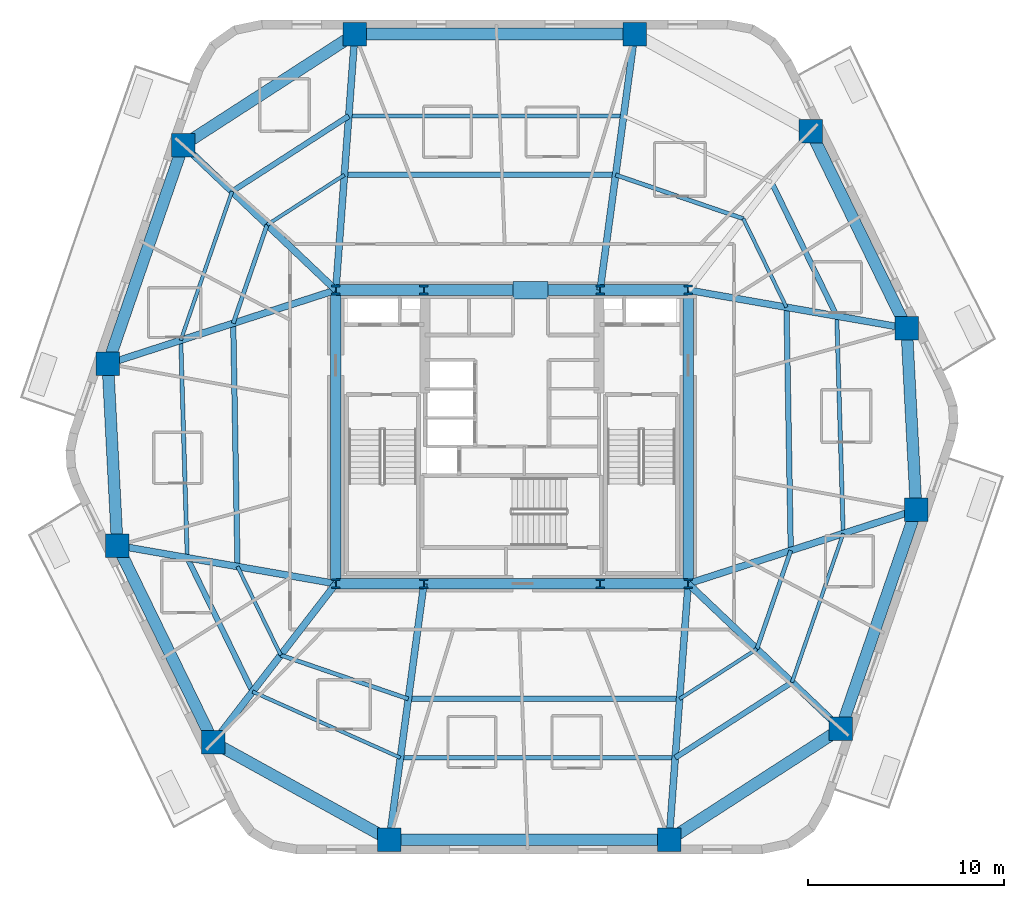
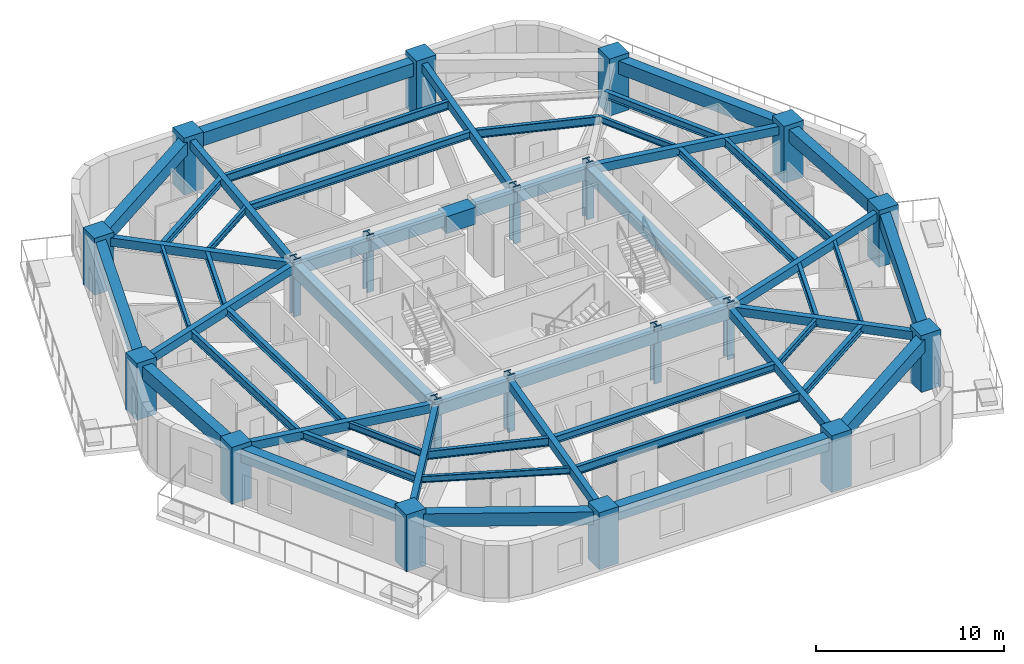
# One storey, part 1 of 10: 54 beams, 20 columns.
"""IFC4 building model written with IfcOpenShell, lengths in metres."""

from ifc_helpers import new_model, si_unit, direction, frame, origin, origin_2d, place, context, subcontext, project, spatial, rectangle, i_section, extrude, material, material_profile, profile_set, type_object, element, save


model = new_model("IFC4")

# Units and contexts
model_context = context("Model", 3, precision=1e-05, world=origin(), true_north=direction((0.0, 1.0)))
body_context = subcontext(model_context, "Body", "Model", "MODEL_VIEW")
ifc_project = project(units=[si_unit("LENGTHUNIT", "METRE"), si_unit("AREAUNIT", "SQUARE_METRE"), si_unit("VOLUMEUNIT", "CUBIC_METRE"), si_unit("PLANEANGLEUNIT", "RADIAN"), si_unit("MASSUNIT", "GRAM", prefix="KILO")], contexts=[model_context])

# Site, building, storey
site_placement = place(None, origin())
site = spatial("IfcSite", under=ifc_project, at=site_placement, CompositionType="ELEMENT")
building_placement = place(site_placement, origin())
building = spatial("IfcBuilding", under=site, at=building_placement, Name="Kilnhurst Terrace Hotel", CompositionType="ELEMENT")
storey_placement = place(building_placement, frame((0.0, 0.0, 117.300048828125)))
storey = spatial("IfcBuildingStorey", under=building, at=storey_placement, Name="L28", CompositionType="ELEMENT", Elevation=117.300048828125)

# Columns
ifc_material_1 = material(Name="Concrete C80/95", Category="concrete")
ifc_material_profile_1 = material_profile(ifc_material_1, rectangle(XDim=1.199951171875, YDim=1.199951171875, at=origin_2d()), Name="RC1200X1200")
ifc_profile_set_1 = profile_set([ifc_material_profile_1], Name="Concrete C80/95")
column_type_1 = type_object("IfcColumnType", Name="COL-RC-1200", PredefinedType="COLUMN", material=ifc_profile_set_1)
for number, where, z_axis, x_axis, name in (
    (1, (-6.26806640625, -20.580078125, 0.0), (0.0, 0.0, 1.0), (1.0, 0.0, 0.0), "L28 Structural Column PC-F11"),
    (2, (8.028076171875, -20.580078125, 0.0), (0.0, 0.0, 1.0), (1.0, 0.0, 0.0), "L28 Structural Column PC-F12"),
    (3, (16.800048828125, -14.910888671875, 0.0), (0.0, 0.0, 1.0), (1.0, 0.0, 0.0), "L28 Structural Column PC-F21"),
    (4, (20.64990234375, -3.73095703125, 0.0), (0.0, 0.0, 1.0), (1.0, 0.0, 0.0), "L28 Structural Column PC-F22"),
    (5, (20.1640625, 5.549072265625, 0.0), (0.0, 0.0, 1.0), (1.0, 0.0, 0.0), "L28 Structural Column PC-F31"),
    (6, (15.257080078125, 15.60888671875, 0.0), (0.0, 0.0, 1.0), (1.0, 0.0, 0.0), "L28 Structural Column PC-F32"),
    (7, (6.26806640625, 20.580078125, 0.0), (0.0, 0.0, 1.0), (1.0, 0.0, 0.0), "L28 Structural Column PC-F41"),
    (8, (-8.028076171875, 20.580078125, 0.0), (0.0, 0.0, 1.0), (1.0, 0.0, 0.0), "L28 Structural Column PC-F42"),
    (9, (-16.800048828125, 14.910888671875, 0.0), (0.0, 0.0, 1.0), (1.0, 0.0, 0.0), "L28 Structural Column PC-F51"),
    (10, (-20.64990234375, 3.73095703125, 0.0), (0.0, 0.0, 1.0), (1.0, 0.0, 0.0), "L28 Structural Column PC-F52"),
    (11, (-20.1640625, -5.549072265625, 0.0), (0.0, 0.0, 1.0), (1.0, 0.0, 0.0), "L28 Structural Column PC-F61"),
    (12, (-15.257080078125, -15.60888671875, 0.0), (0.0, 0.0, 1.0), (1.0, 0.0, 0.0), "L28 Structural Column PC-F62"),
):
    element("IfcColumn", number, at=place(storey_placement, frame(where, z_axis=z_axis, x_axis=x_axis)), inside=storey, type_object=column_type_1, Name=name, PredefinedType="COLUMN", context=body_context, shape_type="SweptSolid", body=[
        extrude(rectangle(XDim=1.199951171875, YDim=1.199951171875, at=origin_2d()), origin(), (0.0, 0.0, 1.0), 3.699951171875),
    ])
ifc_material_2 = material(Name="Steel ASTM A992 Grade 50", Category="steel")
ifc_material_profile_2 = material_profile(ifc_material_2, i_section(OverallWidth=0.43212890625, OverallDepth=0.497802734375, WebThickness=0.0556640625, FlangeThickness=0.0888671875, at=origin_2d()), Name="W14X500")
ifc_profile_set_2 = profile_set([ifc_material_profile_2], Name="Steel ASTM A992 Grade 50")
column_type_2 = type_object("IfcColumnType", Name="COL-STL-W14X500", PredefinedType="COLUMN", material=ifc_profile_set_2)
for number, where, z_axis, x_axis, name in (
    (13, (-9.0, -7.5, 0.0), (0.0, 0.0, 1.0), (1.0, 0.0, 0.0), "L28 Structural Column CC-SW"),
    (14, (-4.5, -7.5, 0.0), (0.0, 0.0, 1.0), (1.0, 0.0, 0.0), "L28 Structural Column CC-SC1"),
    (15, (4.5, -7.5, 0.0), (0.0, 0.0, 1.0), (1.0, 0.0, 0.0), "L28 Structural Column CC-SC2"),
    (16, (9.0, -7.5, 0.0), (0.0, 0.0, 1.0), (1.0, 0.0, 0.0), "L28 Structural Column CC-SE"),
    (17, (9.0, 7.5, 0.0), (0.0, 0.0, 1.0), (1.0, 0.0, 0.0), "L28 Structural Column CC-NE"),
    (18, (4.5, 7.5, 0.0), (0.0, 0.0, 1.0), (1.0, 0.0, 0.0), "L28 Structural Column CC-NC2"),
    (19, (-4.5, 7.5, 0.0), (0.0, 0.0, 1.0), (1.0, 0.0, 0.0), "L28 Structural Column CC-NC1"),
    (20, (-9.0, 7.5, 0.0), (0.0, 0.0, 1.0), (1.0, 0.0, 0.0), "L28 Structural Column CC-NW"),
):
    element("IfcColumn", number, at=place(storey_placement, frame(where, z_axis=z_axis, x_axis=x_axis)), inside=storey, type_object=column_type_2, Name=name, PredefinedType="COLUMN", context=body_context, shape_type="SweptSolid", body=[
        extrude(i_section(OverallWidth=0.43212890625, OverallDepth=0.497802734375, WebThickness=0.0556640625, FlangeThickness=0.0888671875, at=origin_2d()), origin(), (0.0, 0.0, 1.0), 3.699951171875),
    ])

# Beams
ifc_material_3 = material(Name="Concrete C50/60", Category="concrete")
ifc_material_profile_3 = material_profile(ifc_material_3, rectangle(XDim=0.35009765625, YDim=0.550048828125, at=origin_2d()), Name="RC350X550")
ifc_profile_set_3 = profile_set([ifc_material_profile_3], Name="Concrete C50/60")
beam_type_1 = type_object("IfcBeamType", Name="BM-RAD-350X550", PredefinedType="BEAM", material=ifc_profile_set_3)
beam_1_placement = place(storey_placement, frame((-4.5, -7.5, 3.125), z_axis=(-0.133954226177, -0.990987520249, 0.0), x_axis=(0.990987520249, -0.133954226177, 0.0)))
element("IfcBeam", 21, at=beam_1_placement, inside=storey, type_object=beam_type_1, Name="L28 Radial Floor Beam 1", PredefinedType="BEAM", context=body_context, shape_type="SweptSolid", body=[
    extrude(rectangle(XDim=0.35009765625, YDim=0.550048828125, at=origin_2d()), origin(), (0.0, 0.0, 1.0), 13.198974609375),
])
beam_2_placement = place(storey_placement, frame((9.0, -7.5, 3.125), z_axis=(-0.074101371747, -0.997250714066, 0.0), x_axis=(0.997250714066, -0.074101371747, 0.0)))
element("IfcBeam", 22, at=beam_2_placement, inside=storey, type_object=beam_type_1, Name="L28 Radial Floor Beam 2", PredefinedType="BEAM", context=body_context, shape_type="SweptSolid", body=[
    extrude(rectangle(XDim=0.35009765625, YDim=0.550048828125, at=origin_2d()), origin(), (0.0, 0.0, 1.0), 13.1162109375),
])
beam_3_placement = place(storey_placement, frame((9.0, -7.5, 3.125), z_axis=(0.724960341586, -0.688790609059, 0.0), x_axis=(0.688790609059, 0.724960341586, 0.0)))
element("IfcBeam", 23, at=beam_3_placement, inside=storey, type_object=beam_type_1, Name="L28 Radial Floor Beam 3", PredefinedType="BEAM", context=body_context, shape_type="SweptSolid", body=[
    extrude(rectangle(XDim=0.35009765625, YDim=0.550048828125, at=origin_2d()), origin(), (0.0, 0.0, 1.0), 10.75927734375),
])
beam_4_placement = place(storey_placement, frame((9.0, -7.5, 3.125), z_axis=(0.951445549065, 0.307817100182, 0.0), x_axis=(-0.307817100182, 0.951445549065, 0.0)))
element("IfcBeam", 24, at=beam_4_placement, inside=storey, type_object=beam_type_1, Name="L28 Radial Floor Beam 4", PredefinedType="BEAM", context=body_context, shape_type="SweptSolid", body=[
    extrude(rectangle(XDim=0.35009765625, YDim=0.550048828125, at=origin_2d()), origin(), (0.0, 0.0, 1.0), 12.244384765625),
])
beam_5_placement = place(storey_placement, frame((9.0, 7.5, 3.125), z_axis=(0.985072137567, -0.172142045384, 0.0), x_axis=(0.172142045384, 0.985072137567, 0.0)))
element("IfcBeam", 25, at=beam_5_placement, inside=storey, type_object=beam_type_1, Name="L28 Radial Floor Beam 5", PredefinedType="BEAM", context=body_context, shape_type="SweptSolid", body=[
    extrude(rectangle(XDim=0.35009765625, YDim=0.550048828125, at=origin_2d()), origin(), (0.0, 0.0, 1.0), 11.333251953125),
])
beam_6_placement = place(storey_placement, frame((4.5, 7.5, 3.125), z_axis=(0.133954226177, 0.990987520249, 0.0), x_axis=(-0.990987520249, 0.133954226177, 0.0)))
element("IfcBeam", 26, at=beam_6_placement, inside=storey, type_object=beam_type_1, Name="L28 Radial Floor Beam 7", PredefinedType="BEAM", context=body_context, shape_type="SweptSolid", body=[
    extrude(rectangle(XDim=0.35009765625, YDim=0.550048828125, at=origin_2d()), origin(), (0.0, 0.0, 1.0), 13.198974609375),
])
beam_7_placement = place(storey_placement, frame((-9.0, 7.5, 3.125), z_axis=(0.074101371747, 0.997250714066, 0.0), x_axis=(-0.997250714066, 0.074101371747, 0.0)))
element("IfcBeam", 27, at=beam_7_placement, inside=storey, type_object=beam_type_1, Name="L28 Radial Floor Beam 8", PredefinedType="BEAM", context=body_context, shape_type="SweptSolid", body=[
    extrude(rectangle(XDim=0.35009765625, YDim=0.550048828125, at=origin_2d()), origin(), (0.0, 0.0, 1.0), 13.1162109375),
])
beam_8_placement = place(storey_placement, frame((-9.0, 7.5, 3.125), z_axis=(-0.724960341586, 0.688790609059, 0.0), x_axis=(-0.688790609059, -0.724960341586, 0.0)))
element("IfcBeam", 28, at=beam_8_placement, inside=storey, type_object=beam_type_1, Name="L28 Radial Floor Beam 9", PredefinedType="BEAM", context=body_context, shape_type="SweptSolid", body=[
    extrude(rectangle(XDim=0.35009765625, YDim=0.550048828125, at=origin_2d()), origin(), (0.0, 0.0, 1.0), 10.75927734375),
])
beam_9_placement = place(storey_placement, frame((-9.0, 7.5, 3.125), z_axis=(-0.951445549065, -0.307817100182, 0.0), x_axis=(0.307817100182, -0.951445549065, 0.0)))
element("IfcBeam", 29, at=beam_9_placement, inside=storey, type_object=beam_type_1, Name="L28 Radial Floor Beam 10", PredefinedType="BEAM", context=body_context, shape_type="SweptSolid", body=[
    extrude(rectangle(XDim=0.35009765625, YDim=0.550048828125, at=origin_2d()), origin(), (0.0, 0.0, 1.0), 12.244384765625),
])
beam_10_placement = place(storey_placement, frame((-9.0, -7.5, 3.125), z_axis=(-0.985072137567, 0.172142045384, 0.0), x_axis=(-0.172142045384, -0.985072137567, 0.0)))
element("IfcBeam", 30, at=beam_10_placement, inside=storey, type_object=beam_type_1, Name="L28 Radial Floor Beam 11", PredefinedType="BEAM", context=body_context, shape_type="SweptSolid", body=[
    extrude(rectangle(XDim=0.35009765625, YDim=0.550048828125, at=origin_2d()), origin(), (0.0, 0.0, 1.0), 11.333251953125),
])
beam_11_placement = place(storey_placement, frame((-9.0, -7.5, 3.125), z_axis=(-0.610904638371, -0.79170418896, 0.0), x_axis=(0.79170418896, -0.610904638371, 0.0)))
element("IfcBeam", 31, at=beam_11_placement, inside=storey, type_object=beam_type_1, Name="L28 Radial Floor Beam 12", PredefinedType="BEAM", context=body_context, shape_type="SweptSolid", body=[
    extrude(rectangle(XDim=0.35009765625, YDim=0.550048828125, at=origin_2d()), origin(), (0.0, 0.0, 1.0), 10.242431640625),
])
ifc_material_profile_4 = material_profile(ifc_material_3, rectangle(XDim=0.550048828125, YDim=0.75, at=origin_2d()), Name="RC550X750")
ifc_profile_set_4 = profile_set([ifc_material_profile_4], Name="Concrete C50/60")
beam_type_2 = type_object("IfcBeamType", Name="BM-SPN-550X750", PredefinedType="SPANDREL", material=ifc_profile_set_4)
beam_12_placement = place(storey_placement, frame((-9.0, 7.5, 3.02490234375), z_axis=(1.0, 0.0, 0.0), x_axis=(0.0, 1.0, 0.0)))
element("IfcBeam", 32, at=beam_12_placement, inside=storey, type_object=beam_type_2, Name="L28 Core Tie Beam CC-NW to CC-NC1", PredefinedType="SPANDREL", context=body_context, shape_type="SweptSolid", body=[
    extrude(rectangle(XDim=0.550048828125, YDim=0.75, at=origin_2d()), origin(), (0.0, 0.0, 1.0), 4.5),
])
beam_13_placement = place(storey_placement, frame((-4.5, 7.5, 3.02490234375), z_axis=(1.0, 0.0, 0.0), x_axis=(0.0, 1.0, 0.0)))
element("IfcBeam", 33, at=beam_13_placement, inside=storey, type_object=beam_type_2, Name="L28 Core Tie Beam CC-NC1 to CC-NC2", PredefinedType="SPANDREL", context=body_context, shape_type="SweptSolid", body=[
    extrude(rectangle(XDim=0.550048828125, YDim=0.75, at=origin_2d()), origin(), (0.0, 0.0, 1.0), 9.0),
])
for number, where, z_axis, x_axis, name in (
    (34, (4.5, 7.5, 3.02490234375), (1.0, 0.0, 0.0), (0.0, 1.0, 0.0), "L28 Core Tie Beam CC-NC2 to CC-NE"),
    (35, (-9.0, -7.5, 3.02490234375), (1.0, 0.0, 0.0), (0.0, 1.0, 0.0), "L28 Core Tie Beam CC-SW to CC-SC1"),
):
    element("IfcBeam", number, at=place(storey_placement, frame(where, z_axis=z_axis, x_axis=x_axis)), inside=storey, type_object=beam_type_2, Name=name, PredefinedType="SPANDREL", context=body_context, shape_type="SweptSolid", body=[
        extrude(rectangle(XDim=0.550048828125, YDim=0.75, at=origin_2d()), origin(), (0.0, 0.0, 1.0), 4.5),
    ])
beam_14_placement = place(storey_placement, frame((-4.5, -7.5, 3.02490234375), z_axis=(1.0, 0.0, 0.0), x_axis=(0.0, 1.0, 0.0)))
element("IfcBeam", 36, at=beam_14_placement, inside=storey, type_object=beam_type_2, Name="L28 Core Tie Beam CC-SC1 to CC-SC2", PredefinedType="SPANDREL", context=body_context, shape_type="SweptSolid", body=[
    extrude(rectangle(XDim=0.550048828125, YDim=0.75, at=origin_2d()), origin(), (0.0, 0.0, 1.0), 9.0),
])
beam_15_placement = place(storey_placement, frame((4.5, -7.5, 3.02490234375), z_axis=(1.0, 0.0, 0.0), x_axis=(0.0, 1.0, 0.0)))
element("IfcBeam", 37, at=beam_15_placement, inside=storey, type_object=beam_type_2, Name="L28 Core Tie Beam CC-SC2 to CC-SE", PredefinedType="SPANDREL", context=body_context, shape_type="SweptSolid", body=[
    extrude(rectangle(XDim=0.550048828125, YDim=0.75, at=origin_2d()), origin(), (0.0, 0.0, 1.0), 4.5),
])
for number, where, z_axis, x_axis, name in (
    (38, (-9.0, -7.5, 3.02490234375), (0.0, 1.0, 0.0), (-1.0, 0.0, 0.0), "L28 Core Tie Beam CC-SW to CC-NW"),
    (39, (9.0, -7.5, 3.02490234375), (0.0, 1.0, 0.0), (-1.0, 0.0, 0.0), "L28 Core Tie Beam CC-SE to CC-NE"),
):
    element("IfcBeam", number, at=place(storey_placement, frame(where, z_axis=z_axis, x_axis=x_axis)), inside=storey, type_object=beam_type_2, Name=name, PredefinedType="SPANDREL", context=body_context, shape_type="SweptSolid", body=[
        extrude(rectangle(XDim=0.550048828125, YDim=0.75, at=origin_2d()), origin(), (0.0, 0.0, 1.0), 15.0),
    ])
ifc_material_profile_5 = material_profile(ifc_material_3, rectangle(XDim=0.60009765625, YDim=0.85009765625, at=origin_2d()), Name="RC600X850")
ifc_profile_set_5 = profile_set([ifc_material_profile_5], Name="Concrete C50/60")
beam_type_3 = type_object("IfcBeamType", Name="BM-SPN-600X850", PredefinedType="SPANDREL", material=ifc_profile_set_5)
beam_16_placement = place(storey_placement, frame((-6.26806640625, -20.580078125, 2.974853515625), z_axis=(1.0, 0.0, 0.0), x_axis=(0.0, 1.0, 0.0)))
element("IfcBeam", 40, at=beam_16_placement, inside=storey, type_object=beam_type_3, Name="L28 Perimeter Spandrel Beam 1", PredefinedType="SPANDREL", context=body_context, shape_type="SweptSolid", body=[
    extrude(rectangle(XDim=0.60009765625, YDim=0.85009765625, at=origin_2d()), origin(), (0.0, 0.0, 1.0), 14.296142578125),
])
beam_17_placement = place(storey_placement, frame((8.028076171875, -20.580078125, 2.974853515625), z_axis=(0.839866667472, 0.542792760517, 0.0), x_axis=(-0.542792760517, 0.839866667472, 0.0)))
element("IfcBeam", 41, at=beam_17_placement, inside=storey, type_object=beam_type_3, Name="L28 Perimeter Spandrel Beam 2", PredefinedType="SPANDREL", context=body_context, shape_type="SweptSolid", body=[
    extrude(rectangle(XDim=0.60009765625, YDim=0.85009765625, at=origin_2d()), origin(), (0.0, 0.0, 1.0), 10.444580078125),
])
beam_18_placement = place(storey_placement, frame((16.800048828125, -14.910888671875, 2.974853515625), z_axis=(0.325590408593, 0.945510912593, 0.0), x_axis=(-0.945510912593, 0.325590408593, 0.0)))
element("IfcBeam", 42, at=beam_18_placement, inside=storey, type_object=beam_type_3, Name="L28 Perimeter Spandrel Beam 3", PredefinedType="SPANDREL", context=body_context, shape_type="SweptSolid", body=[
    extrude(rectangle(XDim=0.60009765625, YDim=0.85009765625, at=origin_2d()), origin(), (0.0, 0.0, 1.0), 11.82421875),
])
beam_19_placement = place(storey_placement, frame((20.64990234375, -3.73095703125, 2.974853515625), z_axis=(-0.052281666706, 0.998632378469, 0.0), x_axis=(-0.998632378469, -0.052281666706, 0.0)))
element("IfcBeam", 43, at=beam_19_placement, inside=storey, type_object=beam_type_3, Name="L28 Perimeter Spandrel Beam 4", PredefinedType="SPANDREL", context=body_context, shape_type="SweptSolid", body=[
    extrude(rectangle(XDim=0.60009765625, YDim=0.85009765625, at=origin_2d()), origin(), (0.0, 0.0, 1.0), 9.292724609375),
])
beam_20_placement = place(storey_placement, frame((20.1640625, 5.549072265625, 2.974853515625), z_axis=(-0.438406012271, 0.89877704043, 0.0), x_axis=(-0.89877704043, -0.438406012271, 0.0)))
element("IfcBeam", 44, at=beam_20_placement, inside=storey, type_object=beam_type_3, Name="L28 Perimeter Spandrel Beam 5", PredefinedType="SPANDREL", context=body_context, shape_type="SweptSolid", body=[
    extrude(rectangle(XDim=0.60009765625, YDim=0.85009765625, at=origin_2d()), origin(), (0.0, 0.0, 1.0), 11.19287109375),
])
beam_21_placement = place(storey_placement, frame((6.26806640625, 20.580078125, 2.974853515625), z_axis=(-1.0, 0.0, 0.0), x_axis=(0.0, -1.0, 0.0)))
element("IfcBeam", 45, at=beam_21_placement, inside=storey, type_object=beam_type_3, Name="L28 Perimeter Spandrel Beam 7", PredefinedType="SPANDREL", context=body_context, shape_type="SweptSolid", body=[
    extrude(rectangle(XDim=0.60009765625, YDim=0.85009765625, at=origin_2d()), origin(), (0.0, 0.0, 1.0), 14.296142578125),
])
beam_22_placement = place(storey_placement, frame((-8.028076171875, 20.580078125, 2.974853515625), z_axis=(-0.839866667472, -0.542792760517, 0.0), x_axis=(0.542792760517, -0.839866667472, 0.0)))
element("IfcBeam", 46, at=beam_22_placement, inside=storey, type_object=beam_type_3, Name="L28 Perimeter Spandrel Beam 8", PredefinedType="SPANDREL", context=body_context, shape_type="SweptSolid", body=[
    extrude(rectangle(XDim=0.60009765625, YDim=0.85009765625, at=origin_2d()), origin(), (0.0, 0.0, 1.0), 10.444580078125),
])
beam_23_placement = place(storey_placement, frame((-16.800048828125, 14.910888671875, 2.974853515625), z_axis=(-0.325590408593, -0.945510912593, 0.0), x_axis=(0.945510912593, -0.325590408593, 0.0)))
element("IfcBeam", 47, at=beam_23_placement, inside=storey, type_object=beam_type_3, Name="L28 Perimeter Spandrel Beam 9", PredefinedType="SPANDREL", context=body_context, shape_type="SweptSolid", body=[
    extrude(rectangle(XDim=0.60009765625, YDim=0.85009765625, at=origin_2d()), origin(), (0.0, 0.0, 1.0), 11.82421875),
])
beam_24_placement = place(storey_placement, frame((-20.64990234375, 3.73095703125, 2.974853515625), z_axis=(0.052281666706, -0.998632378469, 0.0), x_axis=(0.998632378469, 0.052281666706, 0.0)))
element("IfcBeam", 48, at=beam_24_placement, inside=storey, type_object=beam_type_3, Name="L28 Perimeter Spandrel Beam 10", PredefinedType="SPANDREL", context=body_context, shape_type="SweptSolid", body=[
    extrude(rectangle(XDim=0.60009765625, YDim=0.85009765625, at=origin_2d()), origin(), (0.0, 0.0, 1.0), 9.292724609375),
])
beam_25_placement = place(storey_placement, frame((-20.1640625, -5.549072265625, 2.974853515625), z_axis=(0.438406012271, -0.89877704043, 0.0), x_axis=(0.89877704043, 0.438406012271, 0.0)))
element("IfcBeam", 49, at=beam_25_placement, inside=storey, type_object=beam_type_3, Name="L28 Perimeter Spandrel Beam 11", PredefinedType="SPANDREL", context=body_context, shape_type="SweptSolid", body=[
    extrude(rectangle(XDim=0.60009765625, YDim=0.85009765625, at=origin_2d()), origin(), (0.0, 0.0, 1.0), 11.19287109375),
])
beam_26_placement = place(storey_placement, frame((-15.257080078125, -15.60888671875, 2.974853515625), z_axis=(0.875094010429, -0.483952965598, 0.0), x_axis=(0.483952965598, 0.875094010429, 0.0)))
element("IfcBeam", 50, at=beam_26_placement, inside=storey, type_object=beam_type_3, Name="L28 Perimeter Spandrel Beam 12", PredefinedType="SPANDREL", context=body_context, shape_type="SweptSolid", body=[
    extrude(rectangle(XDim=0.60009765625, YDim=0.85009765625, at=origin_2d()), origin(), (0.0, 0.0, 1.0), 10.27197265625),
])
ifc_material_profile_6 = material_profile(ifc_material_2, i_section(OverallWidth=0.180908203125, OverallDepth=0.417236328125, WebThickness=0.010986328125, FlangeThickness=0.018310546875, at=origin_2d()), Name="W16X57")
ifc_profile_set_6 = profile_set([ifc_material_profile_6], Name="Steel ASTM A992 Grade 50")
beam_type_4 = type_object("IfcBeamType", Name="JST-STL-W16X57", PredefinedType="JOIST", material=ifc_profile_set_6)
for number, where, z_axis, x_axis, name in (
    (51, (14.303955078125, -12.53955078125, 3.19091796875), (0.325612620381, 0.945503263584, 0.0), (-0.945503263584, 0.325612620381, 0.0), "L28 Secondary Floor Steel Joist OUT.3"),
    (52, (-14.303955078125, 12.53955078125, 3.19091796875), (-0.325612620381, -0.945503263584, 0.0), (0.945503263584, -0.325612620381, 0.0), "L28 Secondary Floor Steel Joist OUT.9"),
):
    element("IfcBeam", number, at=place(storey_placement, frame(where, z_axis=z_axis, x_axis=x_axis)), inside=storey, type_object=beam_type_4, Name=name, PredefinedType="JOIST", context=body_context, shape_type="SweptSolid", body=[
        extrude(i_section(OverallWidth=0.180908203125, OverallDepth=0.417236328125, WebThickness=0.010986328125, FlangeThickness=0.018310546875, at=origin_2d()), origin(), (0.0, 0.0, 1.0), 8.040771484375),
    ])
beam_27_placement = place(storey_placement, frame((-13.2548828125, -13.01416015625, 3.19091796875), z_axis=(0.912760935806, -0.408494154262, 0.0), x_axis=(0.408494154262, 0.912760935806, 0.0)))
element("IfcBeam", 53, at=beam_27_placement, inside=storey, type_object=beam_type_4, Name="L28 Secondary Floor Steel Joist OUT.12", PredefinedType="JOIST", context=body_context, shape_type="SweptSolid", body=[
    extrude(i_section(OverallWidth=0.180908203125, OverallDepth=0.417236328125, WebThickness=0.010986328125, FlangeThickness=0.018310546875, at=origin_2d()), origin(), (0.0, 0.0, 1.0), 8.274658203125),
])
beam_28_placement = place(storey_placement, frame((8.5625, -13.385986328125, 3.19091796875), z_axis=(0.839884974974, 0.542764432155, 0.0), x_axis=(-0.542764432155, 0.839884974974, 0.0)))
element("IfcBeam", 54, at=beam_28_placement, inside=storey, type_object=beam_type_4, Name="L28 Secondary Floor Steel Joist IN.2", PredefinedType="JOIST", context=body_context, shape_type="SweptSolid", body=[
    extrude(i_section(OverallWidth=0.180908203125, OverallDepth=0.417236328125, WebThickness=0.010986328125, FlangeThickness=0.018310546875, at=origin_2d()), origin(), (0.0, 0.0, 1.0), 4.699951171875),
])
beam_29_placement = place(storey_placement, frame((14.023681640625, 6.6220703125, 3.19091796875), z_axis=(-0.438389251087, 0.898785216017, 0.0), x_axis=(-0.898785216017, -0.438389251087, 0.0)))
element("IfcBeam", 55, at=beam_29_placement, inside=storey, type_object=beam_type_4, Name="L28 Secondary Floor Steel Joist IN.5", PredefinedType="JOIST", context=body_context, shape_type="SweptSolid", body=[
    extrude(i_section(OverallWidth=0.180908203125, OverallDepth=0.417236328125, WebThickness=0.010986328125, FlangeThickness=0.018310546875, at=origin_2d()), origin(), (0.0, 0.0, 1.0), 5.03662109375),
])
beam_30_placement = place(storey_placement, frame((-8.5625, 13.385986328125, 3.19091796875), z_axis=(-0.839884974974, -0.542764432155, 0.0), x_axis=(0.542764432155, -0.839884974974, 0.0)))
element("IfcBeam", 56, at=beam_30_placement, inside=storey, type_object=beam_type_4, Name="L28 Secondary Floor Steel Joist IN.8", PredefinedType="JOIST", context=body_context, shape_type="SweptSolid", body=[
    extrude(i_section(OverallWidth=0.180908203125, OverallDepth=0.417236328125, WebThickness=0.010986328125, FlangeThickness=0.018310546875, at=origin_2d()), origin(), (0.0, 0.0, 1.0), 4.699951171875),
])
beam_31_placement = place(storey_placement, frame((-14.023681640625, -6.6220703125, 3.19091796875), z_axis=(0.438389251087, -0.898785216017, 0.0), x_axis=(0.898785216017, 0.438389251087, 0.0)))
element("IfcBeam", 57, at=beam_31_placement, inside=storey, type_object=beam_type_4, Name="L28 Secondary Floor Steel Joist IN.11", PredefinedType="JOIST", context=body_context, shape_type="SweptSolid", body=[
    extrude(i_section(OverallWidth=0.180908203125, OverallDepth=0.417236328125, WebThickness=0.010986328125, FlangeThickness=0.018310546875, at=origin_2d()), origin(), (0.0, 0.0, 1.0), 5.03662109375),
])
ifc_material_profile_7 = material_profile(ifc_material_2, i_section(OverallWidth=0.279296875, OverallDepth=0.462890625, WebThickness=0.0107421875, FlangeThickness=0.017333984375, at=origin_2d()), Name="W18X76")
ifc_profile_set_7 = profile_set([ifc_material_profile_7], Name="Steel ASTM A992 Grade 50")
beam_type_5 = type_object("IfcBeamType", Name="JST-STL-W18X76", PredefinedType="JOIST", material=ifc_profile_set_7)
beam_32_placement = place(storey_placement, frame((8.339111328125, -16.394287109375, 3.16796875), z_axis=(0.839882675086, 0.542767991034, 0.0), x_axis=(-0.542767991034, 0.839882675086, 0.0)))
element("IfcBeam", 58, at=beam_32_placement, inside=storey, type_object=beam_type_5, Name="L28 Secondary Floor Steel Joist OUT.2", PredefinedType="JOIST", context=body_context, shape_type="SweptSolid", body=[
    extrude(i_section(OverallWidth=0.279296875, OverallDepth=0.462890625, WebThickness=0.0107421875, FlangeThickness=0.017333984375, at=origin_2d()), origin(), (0.0, 0.0, 1.0), 7.10205078125),
])
beam_33_placement = place(storey_placement, frame((16.591552734375, 6.17333984375, 3.16796875), z_axis=(-0.438390137084, 0.898784783865, 0.0), x_axis=(-0.898784783865, -0.438390137084, 0.0)))
element("IfcBeam", 59, at=beam_33_placement, inside=storey, type_object=beam_type_5, Name="L28 Secondary Floor Steel Joist OUT.5", PredefinedType="JOIST", context=body_context, shape_type="SweptSolid", body=[
    extrude(i_section(OverallWidth=0.279296875, OverallDepth=0.462890625, WebThickness=0.0107421875, FlangeThickness=0.017333984375, at=origin_2d()), origin(), (0.0, 0.0, 1.0), 7.611083984375),
])
beam_34_placement = place(storey_placement, frame((-8.339111328125, 16.394287109375, 3.16796875), z_axis=(-0.839882675086, -0.542767991034, 0.0), x_axis=(0.542767991034, -0.839882675086, 0.0)))
element("IfcBeam", 60, at=beam_34_placement, inside=storey, type_object=beam_type_5, Name="L28 Secondary Floor Steel Joist OUT.8", PredefinedType="JOIST", context=body_context, shape_type="SweptSolid", body=[
    extrude(i_section(OverallWidth=0.279296875, OverallDepth=0.462890625, WebThickness=0.0107421875, FlangeThickness=0.017333984375, at=origin_2d()), origin(), (0.0, 0.0, 1.0), 7.10205078125),
])
beam_35_placement = place(storey_placement, frame((-16.591552734375, -6.17333984375, 3.16796875), z_axis=(0.438390137084, -0.898784783865, 0.0), x_axis=(0.898784783865, 0.438390137084, 0.0)))
element("IfcBeam", 61, at=beam_35_placement, inside=storey, type_object=beam_type_5, Name="L28 Secondary Floor Steel Joist OUT.11", PredefinedType="JOIST", context=body_context, shape_type="SweptSolid", body=[
    extrude(i_section(OverallWidth=0.279296875, OverallDepth=0.462890625, WebThickness=0.0107421875, FlangeThickness=0.017333984375, at=origin_2d()), origin(), (0.0, 0.0, 1.0), 7.611083984375),
])
beam_36_placement = place(storey_placement, frame((-5.295654296875, -13.385986328125, 3.16796875), z_axis=(1.0, 0.0, 0.0), x_axis=(0.0, 1.0, 0.0)))
element("IfcBeam", 62, at=beam_36_placement, inside=storey, type_object=beam_type_5, Name="L28 Secondary Floor Steel Joist IN.1", PredefinedType="JOIST", context=body_context, shape_type="SweptSolid", body=[
    extrude(i_section(OverallWidth=0.279296875, OverallDepth=0.462890625, WebThickness=0.0107421875, FlangeThickness=0.017333984375, at=origin_2d()), origin(), (0.0, 0.0, 1.0), 13.858154296875),
])
beam_37_placement = place(storey_placement, frame((14.242431640625, -5.803955078125, 3.16796875), z_axis=(-0.017601453796, 0.999845082412, 0.0), x_axis=(-0.999845082412, -0.017601453796, 0.0)))
element("IfcBeam", 63, at=beam_37_placement, inside=storey, type_object=beam_type_5, Name="L28 Secondary Floor Steel Joist IN.4", PredefinedType="JOIST", context=body_context, shape_type="SweptSolid", body=[
    extrude(i_section(OverallWidth=0.279296875, OverallDepth=0.462890625, WebThickness=0.0107421875, FlangeThickness=0.017333984375, at=origin_2d()), origin(), (0.0, 0.0, 1.0), 12.427978515625),
])
beam_38_placement = place(storey_placement, frame((5.295654296875, 13.385986328125, 3.16796875), z_axis=(-1.0, 0.0, 0.0), x_axis=(0.0, -1.0, 0.0)))
element("IfcBeam", 64, at=beam_38_placement, inside=storey, type_object=beam_type_5, Name="L28 Secondary Floor Steel Joist IN.7", PredefinedType="JOIST", context=body_context, shape_type="SweptSolid", body=[
    extrude(i_section(OverallWidth=0.279296875, OverallDepth=0.462890625, WebThickness=0.0107421875, FlangeThickness=0.017333984375, at=origin_2d()), origin(), (0.0, 0.0, 1.0), 13.858154296875),
])
beam_39_placement = place(storey_placement, frame((-14.242431640625, 5.803955078125, 3.16796875), z_axis=(0.017601453796, -0.999845082412, 0.0), x_axis=(0.999845082412, 0.017601453796, 0.0)))
element("IfcBeam", 65, at=beam_39_placement, inside=storey, type_object=beam_type_5, Name="L28 Secondary Floor Steel Joist IN.10", PredefinedType="JOIST", context=body_context, shape_type="SweptSolid", body=[
    extrude(i_section(OverallWidth=0.279296875, OverallDepth=0.462890625, WebThickness=0.0107421875, FlangeThickness=0.017333984375, at=origin_2d()), origin(), (0.0, 0.0, 1.0), 12.427978515625),
])
ifc_material_profile_8 = material_profile(ifc_material_2, i_section(OverallWidth=0.2138671875, OverallDepth=0.549072265625, WebThickness=0.0146484375, FlangeThickness=0.023681640625, at=origin_2d()), Name="W21X93")
ifc_profile_set_8 = profile_set([ifc_material_profile_8], Name="Steel ASTM A992 Grade 50")
beam_type_6 = type_object("IfcBeamType", Name="JST-STL-W21X93", PredefinedType="JOIST", material=ifc_profile_set_8)
beam_40_placement = place(storey_placement, frame((-5.7021484375, -16.394287109375, 3.125), z_axis=(1.0, 0.0, 0.0), x_axis=(0.0, 1.0, 0.0)))
element("IfcBeam", 66, at=beam_40_placement, inside=storey, type_object=beam_type_6, Name="L28 Secondary Floor Steel Joist OUT.1", PredefinedType="JOIST", context=body_context, shape_type="SweptSolid", body=[
    extrude(i_section(OverallWidth=0.2138671875, OverallDepth=0.549072265625, WebThickness=0.0146484375, FlangeThickness=0.023681640625, at=origin_2d()), origin(), (0.0, 0.0, 1.0), 14.041259765625),
])
beam_41_placement = place(storey_placement, frame((16.922119140625, -4.93701171875, 3.125), z_axis=(-0.029739849895, 0.999557672837, 0.0), x_axis=(-0.999557672837, -0.029739849895, 0.0)))
element("IfcBeam", 67, at=beam_41_placement, inside=storey, type_object=beam_type_6, Name="L28 Secondary Floor Steel Joist OUT.4", PredefinedType="JOIST", context=body_context, shape_type="SweptSolid", body=[
    extrude(i_section(OverallWidth=0.2138671875, OverallDepth=0.549072265625, WebThickness=0.0146484375, FlangeThickness=0.023681640625, at=origin_2d()), origin(), (0.0, 0.0, 1.0), 11.115234375),
])
beam_42_placement = place(storey_placement, frame((5.7021484375, 16.394287109375, 3.125), z_axis=(-1.0, 0.0, 0.0), x_axis=(0.0, -1.0, 0.0)))
element("IfcBeam", 68, at=beam_42_placement, inside=storey, type_object=beam_type_6, Name="L28 Secondary Floor Steel Joist OUT.7", PredefinedType="JOIST", context=body_context, shape_type="SweptSolid", body=[
    extrude(i_section(OverallWidth=0.2138671875, OverallDepth=0.549072265625, WebThickness=0.0146484375, FlangeThickness=0.023681640625, at=origin_2d()), origin(), (0.0, 0.0, 1.0), 14.041259765625),
])
beam_43_placement = place(storey_placement, frame((-16.922119140625, 4.93701171875, 3.125), z_axis=(0.029739849895, -0.999557672837, 0.0), x_axis=(0.999557672837, 0.029739849895, 0.0)))
element("IfcBeam", 69, at=beam_43_placement, inside=storey, type_object=beam_type_6, Name="L28 Secondary Floor Steel Joist OUT.10", PredefinedType="JOIST", context=body_context, shape_type="SweptSolid", body=[
    extrude(i_section(OverallWidth=0.2138671875, OverallDepth=0.549072265625, WebThickness=0.0146484375, FlangeThickness=0.023681640625, at=origin_2d()), origin(), (0.0, 0.0, 1.0), 11.115234375),
])
beam_44_placement = place(storey_placement, frame((12.510009765625, -10.8349609375, 3.125), z_axis=(0.325586238877, 0.945512348441, 0.0), x_axis=(-0.945512348441, 0.325586238877, 0.0)))
element("IfcBeam", 70, at=beam_44_placement, inside=storey, type_object=beam_type_6, Name="L28 Secondary Floor Steel Joist IN.3", PredefinedType="JOIST", context=body_context, shape_type="SweptSolid", body=[
    extrude(i_section(OverallWidth=0.2138671875, OverallDepth=0.549072265625, WebThickness=0.0146484375, FlangeThickness=0.023681640625, at=origin_2d()), origin(), (0.0, 0.0, 1.0), 5.321044921875),
])
beam_45_placement = place(storey_placement, frame((11.815673828125, 11.14892578125, 3.125), z_axis=(-0.945873585837, 0.324535297949, 0.0), x_axis=(-0.324535297949, -0.945873585837, 0.0)))
element("IfcBeam", 71, at=beam_45_placement, inside=storey, type_object=beam_type_6, Name="L28 Secondary Floor Steel Joist IN.6", PredefinedType="JOIST", context=body_context, shape_type="SweptSolid", body=[
    extrude(i_section(OverallWidth=0.2138671875, OverallDepth=0.549072265625, WebThickness=0.0146484375, FlangeThickness=0.023681640625, at=origin_2d()), origin(), (0.0, 0.0, 1.0), 6.89306640625),
])
beam_46_placement = place(storey_placement, frame((-12.510009765625, 10.8349609375, 3.125), z_axis=(-0.325586238877, -0.945512348441, 0.0), x_axis=(0.945512348441, -0.325586238877, 0.0)))
element("IfcBeam", 72, at=beam_46_placement, inside=storey, type_object=beam_type_6, Name="L28 Secondary Floor Steel Joist IN.9", PredefinedType="JOIST", context=body_context, shape_type="SweptSolid", body=[
    extrude(i_section(OverallWidth=0.2138671875, OverallDepth=0.549072265625, WebThickness=0.0146484375, FlangeThickness=0.023681640625, at=origin_2d()), origin(), (0.0, 0.0, 1.0), 5.321044921875),
])
beam_47_placement = place(storey_placement, frame((-11.815673828125, -11.14892578125, 3.125), z_axis=(0.945873585837, -0.324535297949, 0.0), x_axis=(0.324535297949, 0.945873585837, 0.0)))
element("IfcBeam", 73, at=beam_47_placement, inside=storey, type_object=beam_type_6, Name="L28 Secondary Floor Steel Joist IN.12", PredefinedType="JOIST", context=body_context, shape_type="SweptSolid", body=[
    extrude(i_section(OverallWidth=0.2138671875, OverallDepth=0.549072265625, WebThickness=0.0146484375, FlangeThickness=0.023681640625, at=origin_2d()), origin(), (0.0, 0.0, 1.0), 6.89306640625),
])
ifc_material_profile_9 = material_profile(ifc_material_1, rectangle(XDim=0.89990234375, YDim=1.10009765625, at=origin_2d()), Name="RC900X1100")
ifc_profile_set_9 = profile_set([ifc_material_profile_9], Name="Concrete C80/95")
beam_type_7 = type_object("IfcBeamType", Name="LNT-CB-900X1100", PredefinedType="LINTEL", material=ifc_profile_set_9)
beam_48_placement = place(storey_placement, frame((0.050048828125, 7.5, 2.849853515625), z_axis=(1.0, 0.0, 0.0), x_axis=(0.0, 1.0, 0.0)))
element("IfcBeam", 74, at=beam_48_placement, inside=storey, type_object=beam_type_7, Name="L28 North Core Coupling Link Beam", PredefinedType="LINTEL", context=body_context, shape_type="SweptSolid", body=[
    extrude(rectangle(XDim=0.89990234375, YDim=1.10009765625, at=origin_2d()), origin(), (0.0, 0.0, 1.0), 1.800048828125),
])

save(model, "model.ifc")
